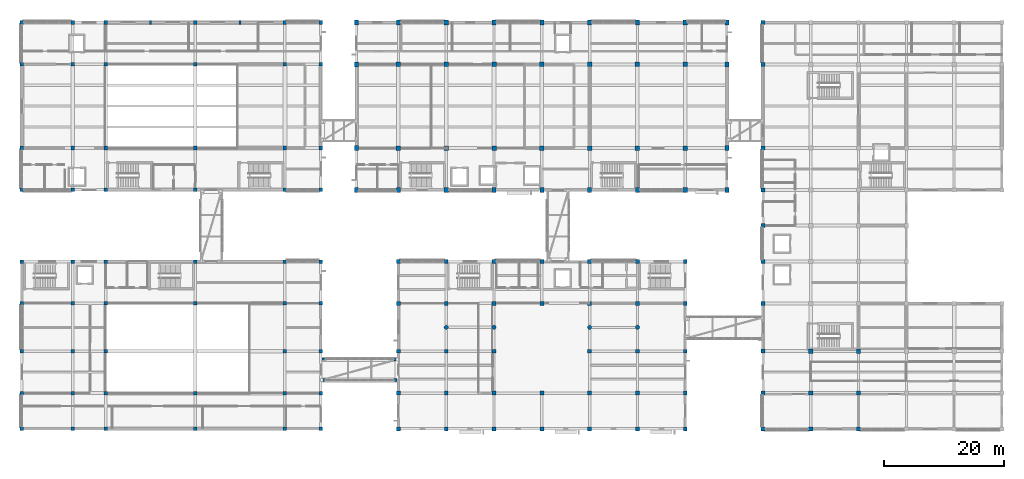
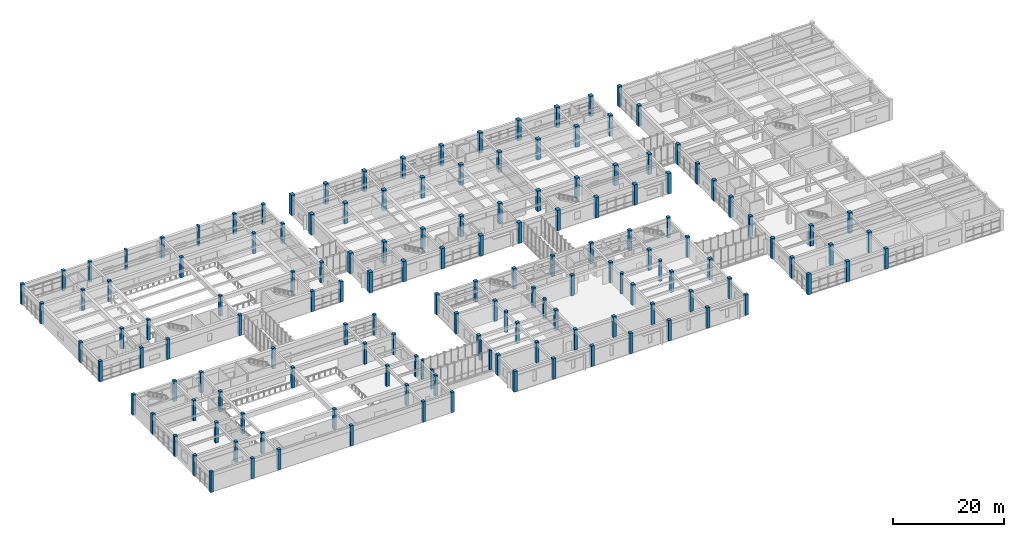
# One storey, part 1 of 72: 149 columns.
"""IFC4 building model written with IfcOpenShell, lengths in metres."""

from ifc_helpers import new_model, si_unit, direction, frame, origin, origin_2d, place, context, subcontext, project, spatial, rectangle, circle, extrude, material, material_profile, profile_set, type_object, element, save


model = new_model("IFC4")

# Units and contexts
model_context = context("Model", 3, precision=1e-05, world=origin(), true_north=direction((0.0, 1.0)))
body_context = subcontext(model_context, "Body", "Model", "MODEL_VIEW")
ifc_project = project(units=[si_unit("LENGTHUNIT", "METRE"), si_unit("AREAUNIT", "SQUARE_METRE"), si_unit("VOLUMEUNIT", "CUBIC_METRE"), si_unit("PLANEANGLEUNIT", "RADIAN"), si_unit("MASSUNIT", "GRAM", prefix="KILO")], contexts=[model_context])

# Site, building, storey
site_placement = place(None, origin())
site = spatial("IfcSite", under=ifc_project, at=site_placement, CompositionType="ELEMENT")
building_placement = place(site_placement, origin())
building = spatial("IfcBuilding", under=site, at=building_placement, Name="Naurynzar Civic Courthouse", CompositionType="ELEMENT")
storey_placement = place(building_placement, frame((0.0, 0.0, 9.89990234375)))
storey = spatial("IfcBuildingStorey", under=building, at=storey_placement, Name="L03", CompositionType="ELEMENT", Elevation=9.89990234375)

# Columns
ifc_material_1 = material(Name="Concrete C40/50", Category="concrete")
ifc_material_profile_1 = material_profile(ifc_material_1, rectangle(XDim=0.5, YDim=0.5, at=origin_2d()), Name="RC 500x500")
ifc_profile_set_1 = profile_set([ifc_material_profile_1], Name="Concrete C40/50")
column_type_1 = type_object("IfcColumnType", Name="COL-RC-500x500", PredefinedType="COLUMN", material=ifc_profile_set_1)
for number, where, z_axis, x_axis, name in (
    (1, (56.469970703125, 12.169921875, 0.0), (0.0, 0.0, 1.0), (1.0, 0.0, 0.0), "BR-S1 roof portal post 1"),
    (2, (68.530029296875, 12.169921875, 0.0), (0.0, 0.0, 1.0), (1.0, 0.0, 0.0), "BR-S1 roof portal post 2"),
    (3, (56.469970703125, 15.6298828125, 0.0), (0.0, 0.0, 1.0), (1.0, 0.0, 0.0), "BR-S1 roof portal post 3"),
    (4, (68.530029296875, 15.6298828125, 0.0), (0.0, 0.0, 1.0), (1.0, 0.0, 0.0), "BR-S1 roof portal post 4"),
):
    element("IfcColumn", number, at=place(storey_placement, frame(where, z_axis=z_axis, x_axis=x_axis)), inside=storey, type_object=column_type_1, Name=name, PredefinedType="COLUMN", context=body_context, shape_type="SweptSolid", body=[
        extrude(rectangle(XDim=0.5, YDim=0.5, at=origin_2d()), origin(), (0.0, 0.0, 1.0), 4.27001953125),
    ])
ifc_material_2 = material(Name="Concrete C40/50", Category="concrete")
ifc_material_profile_2 = material_profile(ifc_material_2, rectangle(XDim=0.60009765625, YDim=0.60009765625, at=origin_2d()), Name="RC 600x600")
ifc_profile_set_2 = profile_set([ifc_material_profile_2], Name="Concrete C40/50")
column_type_2 = type_object("IfcColumnType", Name="COL-RC-600", PredefinedType="COLUMN", material=ifc_profile_set_2)
for number, where, z_axis, x_axis, name in (
    (5, (6.0, 44.0, 0.0), (0.0, 0.0, 1.0), (1.0, 0.0, 0.0), "V1 column (6.0,44.0) L03"),
    (6, (6.0, 51.0, 0.0), (0.0, 0.0, 1.0), (1.0, 0.0, 0.0), "V1 column (6.0,51.0) L03"),
    (7, (6.0, 65.0, 0.0), (0.0, 0.0, 1.0), (1.0, 0.0, 0.0), "V1 column (6.0,65.0) L03"),
    (8, (6.0, 72.0, 0.0), (0.0, 0.0, 1.0), (1.0, 0.0, 0.0), "V1 column (6.0,72.0) L03"),
    (9, (14.5, 44.0, 0.0), (0.0, 0.0, 1.0), (1.0, 0.0, 0.0), "V1 column (14.5,44.0) L03"),
    (10, (14.5, 51.0, 0.0), (0.0, 0.0, 1.0), (1.0, 0.0, 0.0), "V1 column (14.5,51.0) L03"),
    (11, (14.5, 65.0, 0.0), (0.0, 0.0, 1.0), (1.0, 0.0, 0.0), "V1 column (14.5,65.0) L03"),
    (12, (14.5, 72.0, 0.0), (0.0, 0.0, 1.0), (1.0, 0.0, 0.0), "V1 column (14.5,72.0) L03"),
    (13, (20.0, 44.0, 0.0), (0.0, 0.0, 1.0), (1.0, 0.0, 0.0), "V1 column (20.0,44.0) L03"),
    (14, (20.0, 51.0, 0.0), (0.0, 0.0, 1.0), (1.0, 0.0, 0.0), "V1 column (20.0,51.0) L03"),
    (15, (20.0, 65.0, 0.0), (0.0, 0.0, 1.0), (1.0, 0.0, 0.0), "V1 column (20.0,65.0) L03"),
    (16, (20.0, 72.0, 0.0), (0.0, 0.0, 1.0), (1.0, 0.0, 0.0), "V1 column (20.0,72.0) L03"),
    (17, (35.0, 44.0, 0.0), (0.0, 0.0, 1.0), (1.0, 0.0, 0.0), "V1 column (35.0,44.0) L03"),
    (18, (35.0, 51.0, 0.0), (0.0, 0.0, 1.0), (1.0, 0.0, 0.0), "V1 column (35.0,51.0) L03"),
    (19, (35.0, 65.0, 0.0), (0.0, 0.0, 1.0), (1.0, 0.0, 0.0), "V1 column (35.0,65.0) L03"),
    (20, (35.0, 72.0, 0.0), (0.0, 0.0, 1.0), (1.0, 0.0, 0.0), "V1 column (35.0,72.0) L03"),
    (21, (50.0, 44.0, 0.0), (0.0, 0.0, 1.0), (1.0, 0.0, 0.0), "V1 column (50.0,44.0) L03"),
    (22, (50.0, 51.0, 0.0), (0.0, 0.0, 1.0), (1.0, 0.0, 0.0), "V1 column (50.0,51.0) L03"),
    (23, (50.0, 65.0, 0.0), (0.0, 0.0, 1.0), (1.0, 0.0, 0.0), "V1 column (50.0,65.0) L03"),
    (24, (50.0, 72.0, 0.0), (0.0, 0.0, 1.0), (1.0, 0.0, 0.0), "V1 column (50.0,72.0) L03"),
    (25, (56.0, 44.0, 0.0), (0.0, 0.0, 1.0), (1.0, 0.0, 0.0), "V1 column (56.0,44.0) L03"),
    (26, (56.0, 51.0, 0.0), (0.0, 0.0, 1.0), (1.0, 0.0, 0.0), "V1 column (56.0,51.0) L03"),
    (27, (56.0, 65.0, 0.0), (0.0, 0.0, 1.0), (1.0, 0.0, 0.0), "V1 column (56.0,65.0) L03"),
    (28, (56.0, 72.0, 0.0), (0.0, 0.0, 1.0), (1.0, 0.0, 0.0), "V1 column (56.0,72.0) L03"),
    (29, (6.0, 4.0, 0.0), (0.0, 0.0, 1.0), (1.0, 0.0, 0.0), "V4 column (6.0,4.0) L03"),
    (30, (6.0, 10.0, 0.0), (0.0, 0.0, 1.0), (1.0, 0.0, 0.0), "V4 column (6.0,10.0) L03"),
    (31, (6.0, 17.0, 0.0), (0.0, 0.0, 1.0), (1.0, 0.0, 0.0), "V4 column (6.0,17.0) L03"),
    (32, (6.0, 25.0, 0.0), (0.0, 0.0, 1.0), (1.0, 0.0, 0.0), "V4 column (6.0,25.0) L03"),
    (33, (6.0, 32.0, 0.0), (0.0, 0.0, 1.0), (1.0, 0.0, 0.0), "V4 column (6.0,32.0) L03"),
    (34, (14.5, 4.0, 0.0), (0.0, 0.0, 1.0), (1.0, 0.0, 0.0), "V4 column (14.5,4.0) L03"),
    (35, (14.5, 10.0, 0.0), (0.0, 0.0, 1.0), (1.0, 0.0, 0.0), "V4 column (14.5,10.0) L03"),
    (36, (14.5, 17.0, 0.0), (0.0, 0.0, 1.0), (1.0, 0.0, 0.0), "V4 column (14.5,17.0) L03"),
    (37, (14.5, 25.0, 0.0), (0.0, 0.0, 1.0), (1.0, 0.0, 0.0), "V4 column (14.5,25.0) L03"),
    (38, (14.5, 32.0, 0.0), (0.0, 0.0, 1.0), (1.0, 0.0, 0.0), "V4 column (14.5,32.0) L03"),
    (39, (20.0, 4.0, 0.0), (0.0, 0.0, 1.0), (1.0, 0.0, 0.0), "V4 column (20.0,4.0) L03"),
    (40, (20.0, 10.0, 0.0), (0.0, 0.0, 1.0), (1.0, 0.0, 0.0), "V4 column (20.0,10.0) L03"),
    (41, (20.0, 17.0, 0.0), (0.0, 0.0, 1.0), (1.0, 0.0, 0.0), "V4 column (20.0,17.0) L03"),
    (42, (20.0, 25.0, 0.0), (0.0, 0.0, 1.0), (1.0, 0.0, 0.0), "V4 column (20.0,25.0) L03"),
    (43, (20.0, 32.0, 0.0), (0.0, 0.0, 1.0), (1.0, 0.0, 0.0), "V4 column (20.0,32.0) L03"),
    (44, (35.0, 4.0, 0.0), (0.0, 0.0, 1.0), (1.0, 0.0, 0.0), "V4 column (35.0,4.0) L03"),
    (45, (35.0, 10.0, 0.0), (0.0, 0.0, 1.0), (1.0, 0.0, 0.0), "V4 column (35.0,10.0) L03"),
    (46, (35.0, 25.0, 0.0), (0.0, 0.0, 1.0), (1.0, 0.0, 0.0), "V4 column (35.0,25.0) L03"),
    (47, (35.0, 32.0, 0.0), (0.0, 0.0, 1.0), (1.0, 0.0, 0.0), "V4 column (35.0,32.0) L03"),
    (48, (50.0, 4.0, 0.0), (0.0, 0.0, 1.0), (1.0, 0.0, 0.0), "V4 column (50.0,4.0) L03"),
    (49, (50.0, 10.0, 0.0), (0.0, 0.0, 1.0), (1.0, 0.0, 0.0), "V4 column (50.0,10.0) L03"),
    (50, (50.0, 17.0, 0.0), (0.0, 0.0, 1.0), (1.0, 0.0, 0.0), "V4 column (50.0,17.0) L03"),
    (51, (50.0, 25.0, 0.0), (0.0, 0.0, 1.0), (1.0, 0.0, 0.0), "V4 column (50.0,25.0) L03"),
    (52, (50.0, 32.0, 0.0), (0.0, 0.0, 1.0), (1.0, 0.0, 0.0), "V4 column (50.0,32.0) L03"),
    (53, (56.0, 4.0, 0.0), (0.0, 0.0, 1.0), (1.0, 0.0, 0.0), "V4 column (56.0,4.0) L03"),
    (54, (56.0, 10.0, 0.0), (0.0, 0.0, 1.0), (1.0, 0.0, 0.0), "V4 column (56.0,10.0) L03"),
    (55, (56.0, 17.0, 0.0), (0.0, 0.0, 1.0), (1.0, 0.0, 0.0), "V4 column (56.0,17.0) L03"),
    (56, (56.0, 25.0, 0.0), (0.0, 0.0, 1.0), (1.0, 0.0, 0.0), "V4 column (56.0,25.0) L03"),
    (57, (56.0, 32.0, 0.0), (0.0, 0.0, 1.0), (1.0, 0.0, 0.0), "V4 column (56.0,32.0) L03"),
):
    element("IfcColumn", number, at=place(storey_placement, frame(where, z_axis=z_axis, x_axis=x_axis)), inside=storey, type_object=column_type_2, Name=name, PredefinedType="COLUMN", context=body_context, shape_type="SweptSolid", body=[
        extrude(rectangle(XDim=0.60009765625, YDim=0.60009765625, at=origin_2d()), origin(), (0.0, 0.0, 1.0), 4.5),
    ])
ifc_material_3 = material(Name="Concrete C40/50", Category="concrete")
ifc_material_profile_3 = material_profile(ifc_material_3, rectangle(XDim=0.64990234375, YDim=0.64990234375, at=origin_2d()), Name="RC 650x650")
ifc_profile_set_3 = profile_set([ifc_material_profile_3], Name="Concrete C40/50")
column_type_3 = type_object("IfcColumnType", Name="COL-RC-650", PredefinedType="COLUMN", material=ifc_profile_set_3)
for number, where, z_axis, x_axis, name in (
    (58, (69.0, 4.0, 0.0), (0.0, 0.0, 1.0), (1.0, 0.0, 0.0), "V3 column (69.0,4.0) L03"),
    (59, (69.0, 10.0, 0.0), (0.0, 0.0, 1.0), (1.0, 0.0, 0.0), "V3 column (69.0,10.0) L03"),
    (60, (69.0, 17.0, 0.0), (0.0, 0.0, 1.0), (1.0, 0.0, 0.0), "V3 column (69.0,17.0) L03"),
    (61, (69.0, 25.0, 0.0), (0.0, 0.0, 1.0), (1.0, 0.0, 0.0), "V3 column (69.0,25.0) L03"),
    (62, (69.0, 32.0, 0.0), (0.0, 0.0, 1.0), (1.0, 0.0, 0.0), "V3 column (69.0,32.0) L03"),
    (63, (77.0, 4.0, 0.0), (0.0, 0.0, 1.0), (1.0, 0.0, 0.0), "V3 column (77.0,4.0) L03"),
    (64, (77.0, 10.0, 0.0), (0.0, 0.0, 1.0), (1.0, 0.0, 0.0), "V3 column (77.0,10.0) L03"),
    (65, (77.0, 17.0, 0.0), (0.0, 0.0, 1.0), (1.0, 0.0, 0.0), "V3 column (77.0,17.0) L03"),
    (66, (77.0, 25.0, 0.0), (0.0, 0.0, 1.0), (1.0, 0.0, 0.0), "V3 column (77.0,25.0) L03"),
    (67, (77.0, 32.0, 0.0), (0.0, 0.0, 1.0), (1.0, 0.0, 0.0), "V3 column (77.0,32.0) L03"),
    (68, (85.0, 4.0, 0.0), (0.0, 0.0, 1.0), (1.0, 0.0, 0.0), "V3 column (85.0,4.0) L03"),
    (69, (85.0, 10.0, 0.0), (0.0, 0.0, 1.0), (1.0, 0.0, 0.0), "V3 column (85.0,10.0) L03"),
    (70, (85.0, 17.0, 0.0), (0.0, 0.0, 1.0), (1.0, 0.0, 0.0), "V3 column (85.0,17.0) L03"),
    (71, (85.0, 25.0, 0.0), (0.0, 0.0, 1.0), (1.0, 0.0, 0.0), "V3 column (85.0,25.0) L03"),
    (72, (85.0, 32.0, 0.0), (0.0, 0.0, 1.0), (1.0, 0.0, 0.0), "V3 column (85.0,32.0) L03"),
    (73, (93.0, 4.0, 0.0), (0.0, 0.0, 1.0), (1.0, 0.0, 0.0), "V3 column (93.0,4.0) L03"),
    (74, (93.0, 10.0, 0.0), (0.0, 0.0, 1.0), (1.0, 0.0, 0.0), "V3 column (93.0,10.0) L03"),
    (75, (93.0, 25.0, 0.0), (0.0, 0.0, 1.0), (1.0, 0.0, 0.0), "V3 column (93.0,25.0) L03"),
    (76, (93.0, 32.0, 0.0), (0.0, 0.0, 1.0), (1.0, 0.0, 0.0), "V3 column (93.0,32.0) L03"),
    (77, (101.0, 4.0, 0.0), (0.0, 0.0, 1.0), (1.0, 0.0, 0.0), "V3 column (101.0,4.0) L03"),
    (78, (101.0, 10.0, 0.0), (0.0, 0.0, 1.0), (1.0, 0.0, 0.0), "V3 column (101.0,10.0) L03"),
    (79, (101.0, 17.0, 0.0), (0.0, 0.0, 1.0), (1.0, 0.0, 0.0), "V3 column (101.0,17.0) L03"),
    (80, (101.0, 25.0, 0.0), (0.0, 0.0, 1.0), (1.0, 0.0, 0.0), "V3 column (101.0,25.0) L03"),
    (81, (101.0, 32.0, 0.0), (0.0, 0.0, 1.0), (1.0, 0.0, 0.0), "V3 column (101.0,32.0) L03"),
    (82, (109.0, 4.0, 0.0), (0.0, 0.0, 1.0), (1.0, 0.0, 0.0), "V3 column (109.0,4.0) L03"),
    (83, (109.0, 10.0, 0.0), (0.0, 0.0, 1.0), (1.0, 0.0, 0.0), "V3 column (109.0,10.0) L03"),
    (84, (109.0, 17.0, 0.0), (0.0, 0.0, 1.0), (1.0, 0.0, 0.0), "V3 column (109.0,17.0) L03"),
    (85, (109.0, 25.0, 0.0), (0.0, 0.0, 1.0), (1.0, 0.0, 0.0), "V3 column (109.0,25.0) L03"),
    (86, (109.0, 32.0, 0.0), (0.0, 0.0, 1.0), (1.0, 0.0, 0.0), "V3 column (109.0,32.0) L03"),
    (87, (117.0, 4.0, 0.0), (0.0, 0.0, 1.0), (1.0, 0.0, 0.0), "V3 column (117.0,4.0) L03"),
    (88, (117.0, 10.0, 0.0), (0.0, 0.0, 1.0), (1.0, 0.0, 0.0), "V3 column (117.0,10.0) L03"),
    (89, (117.0, 17.0, 0.0), (0.0, 0.0, 1.0), (1.0, 0.0, 0.0), "V3 column (117.0,17.0) L03"),
    (90, (117.0, 25.0, 0.0), (0.0, 0.0, 1.0), (1.0, 0.0, 0.0), "V3 column (117.0,25.0) L03"),
    (91, (117.0, 32.0, 0.0), (0.0, 0.0, 1.0), (1.0, 0.0, 0.0), "V3 column (117.0,32.0) L03"),
):
    element("IfcColumn", number, at=place(storey_placement, frame(where, z_axis=z_axis, x_axis=x_axis)), inside=storey, type_object=column_type_3, Name=name, PredefinedType="COLUMN", context=body_context, shape_type="SweptSolid", body=[
        extrude(rectangle(XDim=0.64990234375, YDim=0.64990234375, at=origin_2d()), origin(), (0.0, 0.0, 1.0), 4.5),
    ])
ifc_material_4 = material(Name="Concrete C40/50", Category="concrete")
ifc_material_profile_4 = material_profile(ifc_material_4, rectangle(XDim=0.675048828125, YDim=0.675048828125, at=origin_2d()), Name="RC 675x675")
ifc_profile_set_4 = profile_set([ifc_material_profile_4], Name="Concrete C40/50")
column_type_4 = type_object("IfcColumnType", Name="COL-RC-675x675", PredefinedType="COLUMN", material=ifc_profile_set_4)
for number, where, z_axis, x_axis, name in (
    (92, (130.0, 4.0, 0.0), (0.0, 0.0, 1.0), (1.0, 0.0, 0.0), "V5 column (130.0,4.0) L03"),
    (93, (130.0, 10.0, 0.0), (0.0, 0.0, 1.0), (1.0, 0.0, 0.0), "V5 column (130.0,10.0) L03"),
    (94, (130.0, 17.0, 0.0), (0.0, 0.0, 1.0), (1.0, 0.0, 0.0), "V5 column (130.0,17.0) L03"),
    (95, (130.0, 25.0, 0.0), (0.0, 0.0, 1.0), (1.0, 0.0, 0.0), "V5 column (130.0,25.0) L03"),
    (96, (130.0, 32.0, 0.0), (0.0, 0.0, 1.0), (1.0, 0.0, 0.0), "V5 column (130.0,32.0) L03"),
    (97, (130.0, 38.0, 0.0), (0.0, 0.0, 1.0), (1.0, 0.0, 0.0), "V5 column (130.0,38.0) L03"),
    (98, (130.0, 44.0, 0.0), (0.0, 0.0, 1.0), (1.0, 0.0, 0.0), "V5 column (130.0,44.0) L03"),
    (99, (130.0, 51.0, 0.0), (0.0, 0.0, 1.0), (1.0, 0.0, 0.0), "V5 column (130.0,51.0) L03"),
    (100, (130.0, 65.0, 0.0), (0.0, 0.0, 1.0), (1.0, 0.0, 0.0), "V5 column (130.0,65.0) L03"),
    (101, (130.0, 72.0, 0.0), (0.0, 0.0, 1.0), (1.0, 0.0, 0.0), "V5 column (130.0,72.0) L03"),
    (102, (138.0, 4.0, 0.0), (0.0, 0.0, 1.0), (1.0, 0.0, 0.0), "V5 column (138.0,4.0) L03"),
    (103, (146.0, 4.0, 0.0), (0.0, 0.0, 1.0), (1.0, 0.0, 0.0), "V5 column (146.0,4.0) L03"),
):
    element("IfcColumn", number, at=place(storey_placement, frame(where, z_axis=z_axis, x_axis=x_axis)), inside=storey, type_object=column_type_4, Name=name, PredefinedType="COLUMN", context=body_context, shape_type="SweptSolid", body=[
        extrude(rectangle(XDim=0.675048828125, YDim=0.675048828125, at=origin_2d()), origin(), (0.0, 0.0, 1.0), 4.5),
    ])
ifc_material_5 = material(Name="Concrete C40/50", Category="concrete")
ifc_material_profile_5 = material_profile(ifc_material_5, rectangle(XDim=0.699951171875, YDim=0.699951171875, at=origin_2d()), Name="RC 700x700")
ifc_profile_set_5 = profile_set([ifc_material_profile_5], Name="Concrete C40/50")
column_type_5 = type_object("IfcColumnType", Name="COL-RC-700", PredefinedType="COLUMN", material=ifc_profile_set_5)
for number, where, z_axis, x_axis, name in (
    (104, (138.0, 10.0, 0.0), (0.0, 0.0, 1.0), (1.0, 0.0, 0.0), "V5 column (138.0,10.0) L03"),
    (105, (138.0, 17.0, 0.0), (0.0, 0.0, 1.0), (1.0, 0.0, 0.0), "V5 column (138.0,17.0) L03"),
    (106, (146.0, 10.0, 0.0), (0.0, 0.0, 1.0), (1.0, 0.0, 0.0), "V5 column (146.0,10.0) L03"),
    (107, (146.0, 17.0, 0.0), (0.0, 0.0, 1.0), (1.0, 0.0, 0.0), "V5 column (146.0,17.0) L03"),
):
    element("IfcColumn", number, at=place(storey_placement, frame(where, z_axis=z_axis, x_axis=x_axis)), inside=storey, type_object=column_type_5, Name=name, PredefinedType="COLUMN", context=body_context, shape_type="SweptSolid", body=[
        extrude(rectangle(XDim=0.699951171875, YDim=0.699951171875, at=origin_2d()), origin(), (0.0, 0.0, 1.0), 4.5),
    ])
ifc_material_6 = material(Name="Concrete C40/50", Category="concrete")
ifc_material_profile_6 = material_profile(ifc_material_6, rectangle(XDim=0.699951171875, YDim=0.85009765625, at=origin_2d()), Name="RC 700x850")
ifc_profile_set_6 = profile_set([ifc_material_profile_6], Name="Concrete C40/50")
column_type_6 = type_object("IfcColumnType", Name="COL-RC-700x850", PredefinedType="COLUMN", material=ifc_profile_set_6)
for number, where, z_axis, x_axis, name in (
    (108, (62.0, 44.0, 0.0), (0.0, 0.0, 1.0), (1.0, 0.0, 0.0), "V2 column (62.0,44.0) L03"),
    (109, (62.0, 51.0, 0.0), (0.0, 0.0, 1.0), (1.0, 0.0, 0.0), "V2 column (62.0,51.0) L03"),
    (110, (62.0, 65.0, 0.0), (0.0, 0.0, 1.0), (1.0, 0.0, 0.0), "V2 column (62.0,65.0) L03"),
    (111, (62.0, 72.0, 0.0), (0.0, 0.0, 1.0), (1.0, 0.0, 0.0), "V2 column (62.0,72.0) L03"),
    (112, (69.0, 44.0, 0.0), (0.0, 0.0, 1.0), (1.0, 0.0, 0.0), "V2 column (69.0,44.0) L03"),
    (113, (69.0, 72.0, 0.0), (0.0, 0.0, 1.0), (1.0, 0.0, 0.0), "V2 column (69.0,72.0) L03"),
    (114, (77.0, 44.0, 0.0), (0.0, 0.0, 1.0), (1.0, 0.0, 0.0), "V2 column (77.0,44.0) L03"),
    (115, (77.0, 72.0, 0.0), (0.0, 0.0, 1.0), (1.0, 0.0, 0.0), "V2 column (77.0,72.0) L03"),
    (116, (85.0, 44.0, 0.0), (0.0, 0.0, 1.0), (1.0, 0.0, 0.0), "V2 column (85.0,44.0) L03"),
    (117, (85.0, 72.0, 0.0), (0.0, 0.0, 1.0), (1.0, 0.0, 0.0), "V2 column (85.0,72.0) L03"),
    (118, (93.0, 44.0, 0.0), (0.0, 0.0, 1.0), (1.0, 0.0, 0.0), "V2 column (93.0,44.0) L03"),
    (119, (93.0, 72.0, 0.0), (0.0, 0.0, 1.0), (1.0, 0.0, 0.0), "V2 column (93.0,72.0) L03"),
    (120, (101.0, 44.0, 0.0), (0.0, 0.0, 1.0), (1.0, 0.0, 0.0), "V2 column (101.0,44.0) L03"),
    (121, (101.0, 72.0, 0.0), (0.0, 0.0, 1.0), (1.0, 0.0, 0.0), "V2 column (101.0,72.0) L03"),
    (122, (109.0, 44.0, 0.0), (0.0, 0.0, 1.0), (1.0, 0.0, 0.0), "V2 column (109.0,44.0) L03"),
    (123, (109.0, 72.0, 0.0), (0.0, 0.0, 1.0), (1.0, 0.0, 0.0), "V2 column (109.0,72.0) L03"),
    (124, (117.0, 44.0, 0.0), (0.0, 0.0, 1.0), (1.0, 0.0, 0.0), "V2 column (117.0,44.0) L03"),
    (125, (117.0, 72.0, 0.0), (0.0, 0.0, 1.0), (1.0, 0.0, 0.0), "V2 column (117.0,72.0) L03"),
    (126, (124.0, 44.0, 0.0), (0.0, 0.0, 1.0), (1.0, 0.0, 0.0), "V2 column (124.0,44.0) L03"),
    (127, (124.0, 51.0, 0.0), (0.0, 0.0, 1.0), (1.0, 0.0, 0.0), "V2 column (124.0,51.0) L03"),
    (128, (124.0, 65.0, 0.0), (0.0, 0.0, 1.0), (1.0, 0.0, 0.0), "V2 column (124.0,65.0) L03"),
    (129, (124.0, 72.0, 0.0), (0.0, 0.0, 1.0), (1.0, 0.0, 0.0), "V2 column (124.0,72.0) L03"),
):
    element("IfcColumn", number, at=place(storey_placement, frame(where, z_axis=z_axis, x_axis=x_axis)), inside=storey, type_object=column_type_6, Name=name, PredefinedType="COLUMN", context=body_context, shape_type="SweptSolid", body=[
        extrude(rectangle(XDim=0.699951171875, YDim=0.85009765625, at=origin_2d()), origin(), (0.0, 0.0, 1.0), 4.5),
    ])
ifc_material_7 = material(Name="Concrete C40/50", Category="concrete")
ifc_material_profile_7 = material_profile(ifc_material_7, rectangle(XDim=0.75, YDim=0.75, at=origin_2d()), Name="RC 750x750")
ifc_profile_set_7 = profile_set([ifc_material_profile_7], Name="Concrete C40/50")
column_type_7 = type_object("IfcColumnType", Name="COL-RC-750", PredefinedType="COLUMN", material=ifc_profile_set_7)
for number, where, z_axis, x_axis, name in (
    (130, (69.0, 51.0, 0.0), (0.0, 0.0, 1.0), (1.0, 0.0, 0.0), "V2 column (69.0,51.0) L03"),
    (131, (69.0, 65.0, 0.0), (0.0, 0.0, 1.0), (1.0, 0.0, 0.0), "V2 column (69.0,65.0) L03"),
    (132, (77.0, 51.0, 0.0), (0.0, 0.0, 1.0), (1.0, 0.0, 0.0), "V2 column (77.0,51.0) L03"),
    (133, (77.0, 65.0, 0.0), (0.0, 0.0, 1.0), (1.0, 0.0, 0.0), "V2 column (77.0,65.0) L03"),
    (134, (85.0, 51.0, 0.0), (0.0, 0.0, 1.0), (1.0, 0.0, 0.0), "V2 column (85.0,51.0) L03"),
    (135, (85.0, 65.0, 0.0), (0.0, 0.0, 1.0), (1.0, 0.0, 0.0), "V2 column (85.0,65.0) L03"),
    (136, (93.0, 51.0, 0.0), (0.0, 0.0, 1.0), (1.0, 0.0, 0.0), "V2 column (93.0,51.0) L03"),
    (137, (93.0, 65.0, 0.0), (0.0, 0.0, 1.0), (1.0, 0.0, 0.0), "V2 column (93.0,65.0) L03"),
    (138, (101.0, 51.0, 0.0), (0.0, 0.0, 1.0), (1.0, 0.0, 0.0), "V2 column (101.0,51.0) L03"),
    (139, (101.0, 65.0, 0.0), (0.0, 0.0, 1.0), (1.0, 0.0, 0.0), "V2 column (101.0,65.0) L03"),
    (140, (109.0, 51.0, 0.0), (0.0, 0.0, 1.0), (1.0, 0.0, 0.0), "V2 column (109.0,51.0) L03"),
    (141, (109.0, 65.0, 0.0), (0.0, 0.0, 1.0), (1.0, 0.0, 0.0), "V2 column (109.0,65.0) L03"),
    (142, (117.0, 51.0, 0.0), (0.0, 0.0, 1.0), (1.0, 0.0, 0.0), "V2 column (117.0,51.0) L03"),
    (143, (117.0, 65.0, 0.0), (0.0, 0.0, 1.0), (1.0, 0.0, 0.0), "V2 column (117.0,65.0) L03"),
):
    element("IfcColumn", number, at=place(storey_placement, frame(where, z_axis=z_axis, x_axis=x_axis)), inside=storey, type_object=column_type_7, Name=name, PredefinedType="COLUMN", context=body_context, shape_type="SweptSolid", body=[
        extrude(rectangle(XDim=0.75, YDim=0.75, at=origin_2d()), origin(), (0.0, 0.0, 1.0), 4.5),
    ])
ifc_material_8 = material(Name="Concrete C40/50", Category="concrete")
ifc_material_profile_8 = material_profile(ifc_material_8, circle(Radius=0.35009765625, at=origin_2d()), Name="RC D700")
ifc_profile_set_8 = profile_set([ifc_material_profile_8], Name="Concrete C40/50")
column_type_8 = type_object("IfcColumnType", Name="COL-RC-D700", PredefinedType="COLUMN", material=ifc_profile_set_8)
for number, where, z_axis, x_axis, name in (
    (144, (77.0, 21.0, 0.0), (0.0, 0.0, 1.0), (1.0, 0.0, 0.0), "Law Library central spine column 77 L03"),
    (145, (85.0, 21.0, 0.0), (0.0, 0.0, 1.0), (1.0, 0.0, 0.0), "Law Library central spine column 85 L03"),
    (146, (101.0, 21.0, 0.0), (0.0, 0.0, 1.0), (1.0, 0.0, 0.0), "Law Library central spine column 101 L03"),
    (147, (109.0, 21.0, 0.0), (0.0, 0.0, 1.0), (1.0, 0.0, 0.0), "Law Library central spine column 109 L03"),
):
    element("IfcColumn", number, at=place(storey_placement, frame(where, z_axis=z_axis, x_axis=x_axis)), inside=storey, type_object=column_type_8, Name=name, PredefinedType="COLUMN", context=body_context, shape_type="SweptSolid", body=[
        extrude(circle(Radius=0.35009765625, at=origin_2d()), origin(), (0.0, 0.0, 1.0), 4.5),
    ])
ifc_material_9 = material(Name="Concrete C40/50", Category="concrete")
ifc_material_profile_9 = material_profile(ifc_material_9, rectangle(XDim=0.35009765625, YDim=0.60009765625, at=origin_2d()), Name="RC 350x600")
ifc_profile_set_9 = profile_set([ifc_material_profile_9], Name="Concrete C40/50")
column_type_9 = type_object("IfcColumnType", Name="PIL-RC-350x600", PredefinedType="PILASTER", material=ifc_profile_set_9)
for number, where, z_axis, x_axis, name in (
    (148, (27.5, 72.0, 0.0), (0.0, 0.0, 1.0), (1.0, 0.0, 0.0), "V1 north street pilaster 27.5 L03"),
    (149, (42.5, 72.0, 0.0), (0.0, 0.0, 1.0), (1.0, 0.0, 0.0), "V1 north street pilaster 42.5 L03"),
):
    element("IfcColumn", number, at=place(storey_placement, frame(where, z_axis=z_axis, x_axis=x_axis)), inside=storey, type_object=column_type_9, Name=name, PredefinedType="PILASTER", context=body_context, shape_type="SweptSolid", body=[
        extrude(rectangle(XDim=0.35009765625, YDim=0.60009765625, at=origin_2d()), origin(), (0.0, 0.0, 1.0), 4.5),
    ])

save(model, "model.ifc")
